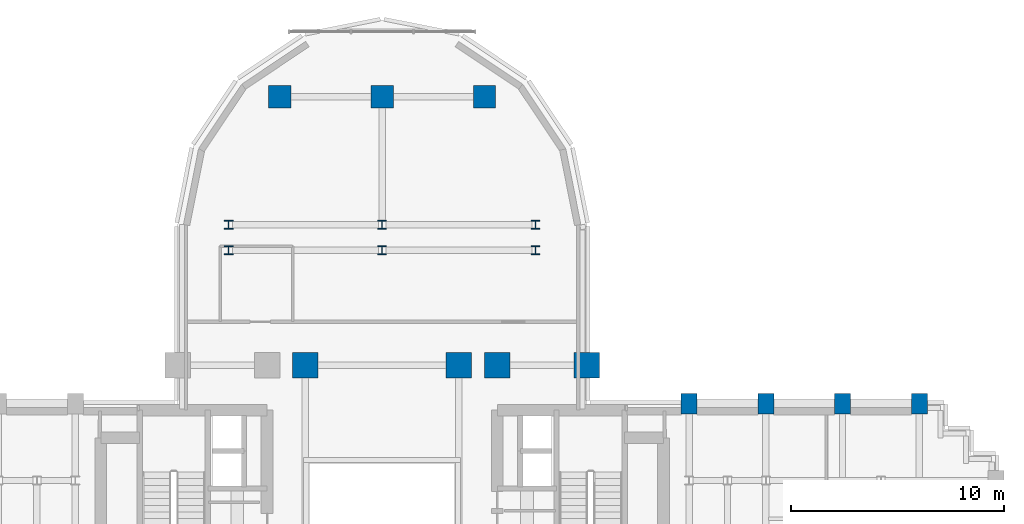
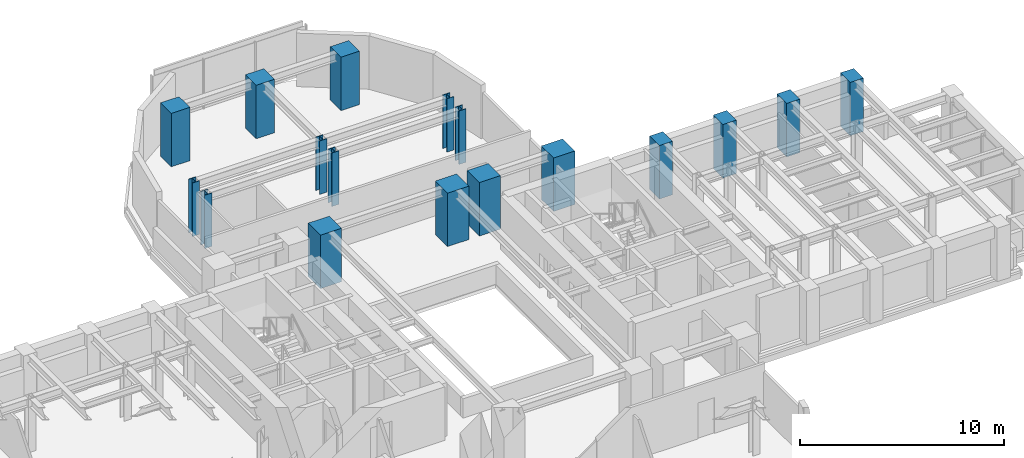
# One storey, part 2 of 16: 17 columns.
"""IFC4 building model written with IfcOpenShell, lengths in metres."""

from ifc_helpers import new_model, si_unit, direction, frame, origin, origin_2d, place, context, subcontext, project, spatial, rectangle, i_section, extrude, source, transform, mapped, material, material_profile, profile_set, type_object, element, save


model = new_model("IFC4")

# Units and contexts
model_context = context("Model", 3, precision=1e-05, world=origin(), true_north=direction((0.0, 1.0)))
body_context = subcontext(model_context, "Body", "Model", "MODEL_VIEW")
ifc_project = project(units=[si_unit("LENGTHUNIT", "METRE"), si_unit("AREAUNIT", "SQUARE_METRE"), si_unit("VOLUMEUNIT", "CUBIC_METRE"), si_unit("PLANEANGLEUNIT", "RADIAN"), si_unit("MASSUNIT", "GRAM", prefix="KILO")], contexts=[model_context])

# Site, building, storey
site_placement = place(None, origin())
site = spatial("IfcSite", under=ifc_project, at=site_placement, CompositionType="ELEMENT")
building_placement = place(site_placement, origin())
building = spatial("IfcBuilding", under=site, at=building_placement, Name="Keilestroom Media Tower", CompositionType="ELEMENT")
storey_placement = place(building_placement, frame((0.0, 0.0, 54.39990234375)))
storey = spatial("IfcBuildingStorey", under=building, at=storey_placement, Name="L13", CompositionType="ELEMENT", Elevation=54.39990234375)

# Columns
ifc_material_1 = material(Name="Precast concrete C40/50", Category="concrete")
ifc_material_profile_1 = material_profile(ifc_material_1, rectangle(XDim=0.75, YDim=0.949951171875, at=origin_2d()), Name="PC 950x750")
ifc_profile_set_1 = profile_set([ifc_material_profile_1], Name="Precast concrete C40/50")
column_type_1 = type_object("IfcColumnType", Name="Structural-Column-PC-950x750", PredefinedType="COLUMN", material=ifc_profile_set_1)
shared_shape_1 = source(origin(), body_context, "Body", "SweptSolid", [
    extrude(rectangle(XDim=0.75, YDim=0.949951171875, at=origin_2d()), origin(), (0.0, 0.0, 1.0), 3.2001953125),
])
for number, where, z_axis, x_axis, name in (
    (1, (14.39990234375, 7.199951171875, 0.0), (0.0, 0.0, 1.0), (1.0, 0.0, 0.0), "L13 Column PC-1 (+14.4,+7.2)"),
    (2, (18.0, 7.199951171875, 0.0), (0.0, 0.0, 1.0), (1.0, 0.0, 0.0), "L13 Column PC-1 (+18.0,+7.2)"),
    (3, (21.60009765625, 7.199951171875, 0.0), (0.0, 0.0, 1.0), (1.0, 0.0, 0.0), "L13 Column PC-1 (+21.6,+7.2)"),
    (4, (25.199951171875, 7.199951171875, 0.0), (0.0, 0.0, 1.0), (1.0, 0.0, 0.0), "L13 Column PC-1 (+25.2,+7.2)"),
):
    element("IfcColumn", number, at=place(storey_placement, frame(where, z_axis=z_axis, x_axis=x_axis)), inside=storey, type_object=column_type_1, Name=name, PredefinedType="COLUMN", context=body_context, shape_type="MappedRepresentation", body=[
        mapped(shared_shape_1, transform((0.0, 0.0, 0.0), x_axis=(1.0, 0.0, 0.0), y_axis=(0.0, 1.0, 0.0), z_axis=(0.0, 0.0, 1.0), scale=1.0)),
    ])
ifc_material_2 = material(Name="Steel S460", Category="steel")
ifc_material_profile_2 = material_profile(ifc_material_2, i_section(OverallWidth=0.404052734375, OverallDepth=0.406982421875, WebThickness=0.02197265625, FlangeThickness=0.035400390625, at=origin_2d()), Name="HD 400x347")
ifc_profile_set_2 = profile_set([ifc_material_profile_2], Name="Steel S460")
column_type_2 = type_object("IfcColumnType", Name="Structural-Column-HD-400x347", PredefinedType="COLUMN", material=ifc_profile_set_2)
shared_shape_2 = source(origin(), body_context, "Body", "SweptSolid", [
    extrude(i_section(OverallWidth=0.404052734375, OverallDepth=0.406982421875, WebThickness=0.02197265625, FlangeThickness=0.035400390625, at=origin_2d()), origin(), (0.0, 0.0, 1.0), 3.2001953125),
])
for number, where, z_axis, x_axis, name in (
    (5, (-7.199951171875, 14.39990234375, 0.0), (0.0, 0.0, 1.0), (1.0, 0.0, 0.0), "L13 Column SC-2 (-7.2,+14.4)"),
    (6, (-7.199951171875, 15.60009765625, 0.0), (0.0, 0.0, 1.0), (1.0, 0.0, 0.0), "L13 Column SC-2 (-7.2,+15.6)"),
    (7, (0.0, 14.39990234375, 0.0), (0.0, 0.0, 1.0), (1.0, 0.0, 0.0), "L13 Column SC-2 (+0.0,+14.4)"),
    (8, (0.0, 15.60009765625, 0.0), (0.0, 0.0, 1.0), (1.0, 0.0, 0.0), "L13 Column SC-2 (+0.0,+15.6)"),
    (9, (7.199951171875, 14.39990234375, 0.0), (0.0, 0.0, 1.0), (1.0, 0.0, 0.0), "L13 Column SC-2 (+7.2,+14.4)"),
    (10, (7.199951171875, 15.60009765625, 0.0), (0.0, 0.0, 1.0), (1.0, 0.0, 0.0), "L13 Column SC-2 (+7.2,+15.6)"),
):
    element("IfcColumn", number, at=place(storey_placement, frame(where, z_axis=z_axis, x_axis=x_axis)), inside=storey, type_object=column_type_2, Name=name, PredefinedType="COLUMN", context=body_context, shape_type="MappedRepresentation", body=[
        mapped(shared_shape_2, transform((0.0, 0.0, 0.0), x_axis=(1.0, 0.0, 0.0), y_axis=(0.0, 1.0, 0.0), z_axis=(0.0, 0.0, 1.0), scale=1.0)),
    ])
ifc_material_3 = material(Name="Concrete C70/85", Category="concrete")
ifc_material_profile_3 = material_profile(ifc_material_3, rectangle(XDim=1.199951171875, YDim=1.199951171875, at=origin_2d()), Name="RC 1200x1200")
ifc_profile_set_3 = profile_set([ifc_material_profile_3], Name="Concrete C70/85")
column_type_3 = type_object("IfcColumnType", Name="Structural-Column-RC-1200x1200", PredefinedType="COLUMN", material=ifc_profile_set_3)
shared_shape_3 = source(origin(), body_context, "Body", "SweptSolid", [
    extrude(rectangle(XDim=1.199951171875, YDim=1.199951171875, at=origin_2d()), origin(), (0.0, 0.0, 1.0), 3.2001953125),
])
for number, where, z_axis, x_axis, name in (
    (11, (-3.60009765625, 9.0, 0.0), (0.0, 0.0, 1.0), (1.0, 0.0, 0.0), "L13 Column MC-2 (-3.6,+9.0)"),
    (12, (3.60009765625, 9.0, 0.0), (0.0, 0.0, 1.0), (1.0, 0.0, 0.0), "L13 Column MC-2 (+3.6,+9.0)"),
    (13, (5.39990234375, 9.0, 0.0), (0.0, 0.0, 1.0), (1.0, 0.0, 0.0), "L13 Column MC-2 (+5.4,+9.0)"),
    (14, (9.60009765625, 9.0, 0.0), (0.0, 0.0, 1.0), (1.0, 0.0, 0.0), "L13 Column MC-2 (+9.6,+9.0)"),
):
    element("IfcColumn", number, at=place(storey_placement, frame(where, z_axis=z_axis, x_axis=x_axis)), inside=storey, type_object=column_type_3, Name=name, PredefinedType="COLUMN", context=body_context, shape_type="MappedRepresentation", body=[
        mapped(shared_shape_3, transform((0.0, 0.0, 0.0), x_axis=(1.0, 0.0, 0.0), y_axis=(0.0, 1.0, 0.0), z_axis=(0.0, 0.0, 1.0), scale=1.0)),
    ])
ifc_material_4 = material(Name="Concrete C55/67", Category="concrete")
ifc_material_profile_4 = material_profile(ifc_material_4, rectangle(XDim=1.050048828125, YDim=1.050048828125, at=origin_2d()), Name="RC 1050x1050")
ifc_profile_set_4 = profile_set([ifc_material_profile_4], Name="Concrete C55/67")
column_type_4 = type_object("IfcColumnType", Name="Structural-Column-RC-1050x1050", PredefinedType="COLUMN", material=ifc_profile_set_4)
shared_shape_4 = source(origin(), body_context, "Body", "SweptSolid", [
    extrude(rectangle(XDim=1.050048828125, YDim=1.050048828125, at=origin_2d()), origin(), (0.0, 0.0, 1.0), 3.2001953125),
])
for number, where, z_axis, x_axis, name in (
    (15, (-4.800048828125, 21.60009765625, 0.0), (0.0, 0.0, 1.0), (1.0, 0.0, 0.0), "L13 Column MC-3 (-4.8,+21.6)"),
    (16, (0.0, 21.60009765625, 0.0), (0.0, 0.0, 1.0), (1.0, 0.0, 0.0), "L13 Column MC-3 (+0.0,+21.6)"),
    (17, (4.800048828125, 21.60009765625, 0.0), (0.0, 0.0, 1.0), (1.0, 0.0, 0.0), "L13 Column MC-3 (+4.8,+21.6)"),
):
    element("IfcColumn", number, at=place(storey_placement, frame(where, z_axis=z_axis, x_axis=x_axis)), inside=storey, type_object=column_type_4, Name=name, PredefinedType="COLUMN", context=body_context, shape_type="MappedRepresentation", body=[
        mapped(shared_shape_4, transform((0.0, 0.0, 0.0), x_axis=(1.0, 0.0, 0.0), y_axis=(0.0, 1.0, 0.0), z_axis=(0.0, 0.0, 1.0), scale=1.0)),
    ])

save(model, "model.ifc")
